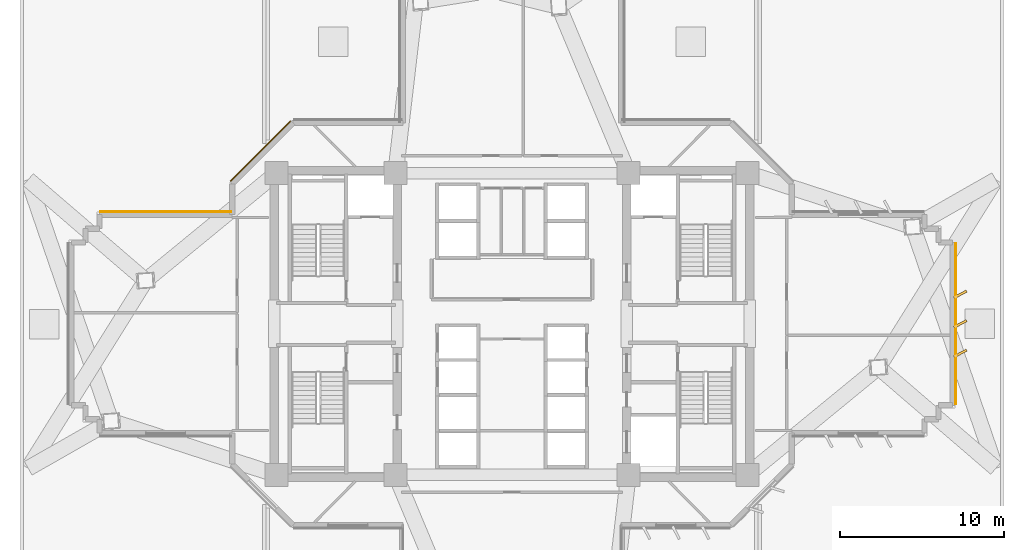
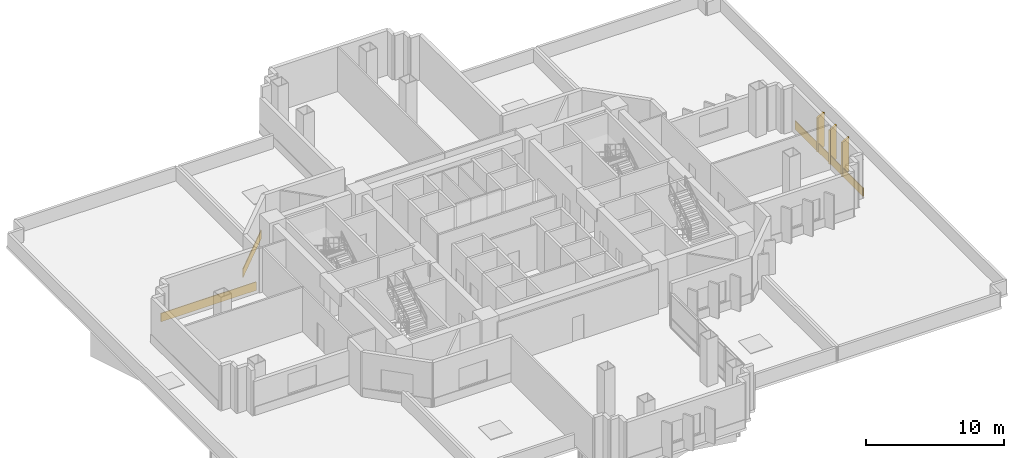
# One storey, part 14 of 15: 3 coverings, 3 shading devices.
"""IFC4 building model written with IfcOpenShell, lengths in metres."""

from ifc_helpers import new_model, si_unit, direction, frame, origin, origin_2d, place, context, subcontext, project, spatial, rectangle, extrude, source, transform, mapped, material, layer, layer_set, type_object, element, save


model = new_model("IFC4")

# Units and contexts
model_context = context("Model", 3, precision=1e-05, world=origin(), true_north=direction((0.0, 1.0)))
body_context = subcontext(model_context, "Body", "Model", "MODEL_VIEW")
ifc_project = project(units=[si_unit("LENGTHUNIT", "METRE"), si_unit("AREAUNIT", "SQUARE_METRE"), si_unit("VOLUMEUNIT", "CUBIC_METRE"), si_unit("PLANEANGLEUNIT", "RADIAN"), si_unit("MASSUNIT", "GRAM", prefix="KILO")], contexts=[model_context])

# Site, building, storey
site_placement = place(None, origin())
site = spatial("IfcSite", under=ifc_project, at=site_placement, CompositionType="ELEMENT")
building_placement = place(site_placement, origin())
building = spatial("IfcBuilding", under=site, at=building_placement, Name="Zahravan Cultural Tower", CompositionType="ELEMENT")
storey_placement = place(building_placement, frame((0.0, 0.0, 29.10009765625)))
storey = spatial("IfcBuildingStorey", under=building, at=storey_placement, Name="L05", CompositionType="ELEMENT", Elevation=29.10009765625)

# Covering
ifc_material_1 = material(Name="Terracotta ceramic cladding", Category="masonry")
ifc_layer = layer(ifc_material_1, 0.06005859375)
ifc_layer_set = layer_set([ifc_layer], Name="Terracotta ceramic cladding")
covering_type = type_object("IfcCoveringType", Name="COV-CLAD-TC60", PredefinedType="CLADDING", material=ifc_layer_set)
shared_shape_1 = source(origin(), body_context, "Body", "SweptSolid", [
    extrude(rectangle(XDim=8.0, YDim=0.06005859375, at=origin_2d()), origin(), (0.0, 0.0, 1.0), 0.760009765625),
])
covering_1_placement = place(storey_placement, frame((14.889892578125, 33.844970703125, 0.02001953125), z_axis=(0.0, 0.0, 1.0), x_axis=(1.0, 0.0, 0.0)))
element("IfcCovering", 1, at=covering_1_placement, inside=storey, type_object=covering_type, Name="L05 Terracotta Spandrel Cladding 37", PredefinedType="CLADDING", context=body_context, shape_type="MappedRepresentation", body=[
    mapped(shared_shape_1, transform((0.0, 0.0, 0.0), x_axis=(1.0, 0.0, 0.0), y_axis=(0.0, 1.0, 0.0), z_axis=(0.0, 0.0, 1.0), scale=1.0)),
])

# Shading devices
ifc_material_2 = material(Name="Architectural terracotta fin", Category="masonry")
shading_device_type = type_object("IfcShadingDeviceType", Name="SHD-FIN-880", PredefinedType="USERDEFINED", material=ifc_material_2)
shared_shape_2 = source(origin(), body_context, "Body", "SweptSolid", [
    extrude(rectangle(XDim=0.8798828125, YDim=0.139892578125, at=origin_2d()), origin(), (0.0, 0.0, 1.0), 3.030029296875),
])
for number, where, z_axis, x_axis, name in (
    (2, (63.330078125, 28.800048828125, 0.0498046875), (0.0, 0.0, 1.0), (0.882947592859, 0.469471562786, 0.0), "L05 Herringbone Terracotta Fin 04"),
    (3, (63.330078125, 27.0, 0.0498046875), (0.0, 0.0, 1.0), (0.882947592859, 0.469471562786, 0.0), "L05 Herringbone Terracotta Fin 05"),
    (4, (63.330078125, 25.199951171875, 0.0498046875), (0.0, 0.0, 1.0), (0.882947592859, 0.469471562786, 0.0), "L05 Herringbone Terracotta Fin 06"),
):
    element("IfcShadingDevice", number, at=place(storey_placement, frame(where, z_axis=z_axis, x_axis=x_axis)), inside=storey, type_object=shading_device_type, Name=name, ObjectType="FIN", PredefinedType="USERDEFINED", context=body_context, shape_type="MappedRepresentation", body=[
        mapped(shared_shape_2, transform((0.0, 0.0, 0.0), x_axis=(1.0, 0.0, 0.0), y_axis=(0.0, 1.0, 0.0), z_axis=(0.0, 0.0, 1.0), scale=1.0)),
    ])

# Coverings
shared_shape_3 = source(origin(), body_context, "Body", "SweptSolid", [
    extrude(rectangle(XDim=9.820068359375, YDim=0.06005859375, at=origin_2d()), origin(), (0.0, 0.0, 1.0), 0.760009765625),
])
covering_2_placement = place(storey_placement, frame((63.044921875, 27.0, 0.02001953125), z_axis=(0.0, 0.0, 1.0), x_axis=(0.0, -1.0, 0.0)))
element("IfcCovering", 5, at=covering_2_placement, inside=storey, type_object=covering_type, Name="L05 Terracotta Spandrel Cladding 06", PredefinedType="CLADDING", context=body_context, shape_type="MappedRepresentation", body=[
    mapped(shared_shape_3, transform((0.0, 0.0, 0.0), x_axis=(1.0, 0.0, 0.0), y_axis=(0.0, 1.0, 0.0), z_axis=(0.0, 0.0, 1.0), scale=1.0)),
])
shared_shape_4 = source(origin(), body_context, "Body", "SweptSolid", [
    extrude(rectangle(XDim=5.157958984375, YDim=0.06005859375, at=origin_2d()), origin(), (0.0, 0.0, 1.0), 0.760009765625),
])
covering_3_placement = place(storey_placement, frame((20.668212890625, 37.53173828125, 0.02001953125), z_axis=(0.0, 0.0, 1.0), x_axis=(0.707106781187, 0.707106781187, 0.0)))
element("IfcCovering", 6, at=covering_3_placement, inside=storey, type_object=covering_type, Name="L05 Terracotta Spandrel Cladding 39", PredefinedType="CLADDING", context=body_context, shape_type="MappedRepresentation", body=[
    mapped(shared_shape_4, transform((0.0, 0.0, 0.0), x_axis=(1.0, 0.0, 0.0), y_axis=(0.0, 1.0, 0.0), z_axis=(0.0, 0.0, 1.0), scale=1.0)),
])

save(model, "model.ifc")
